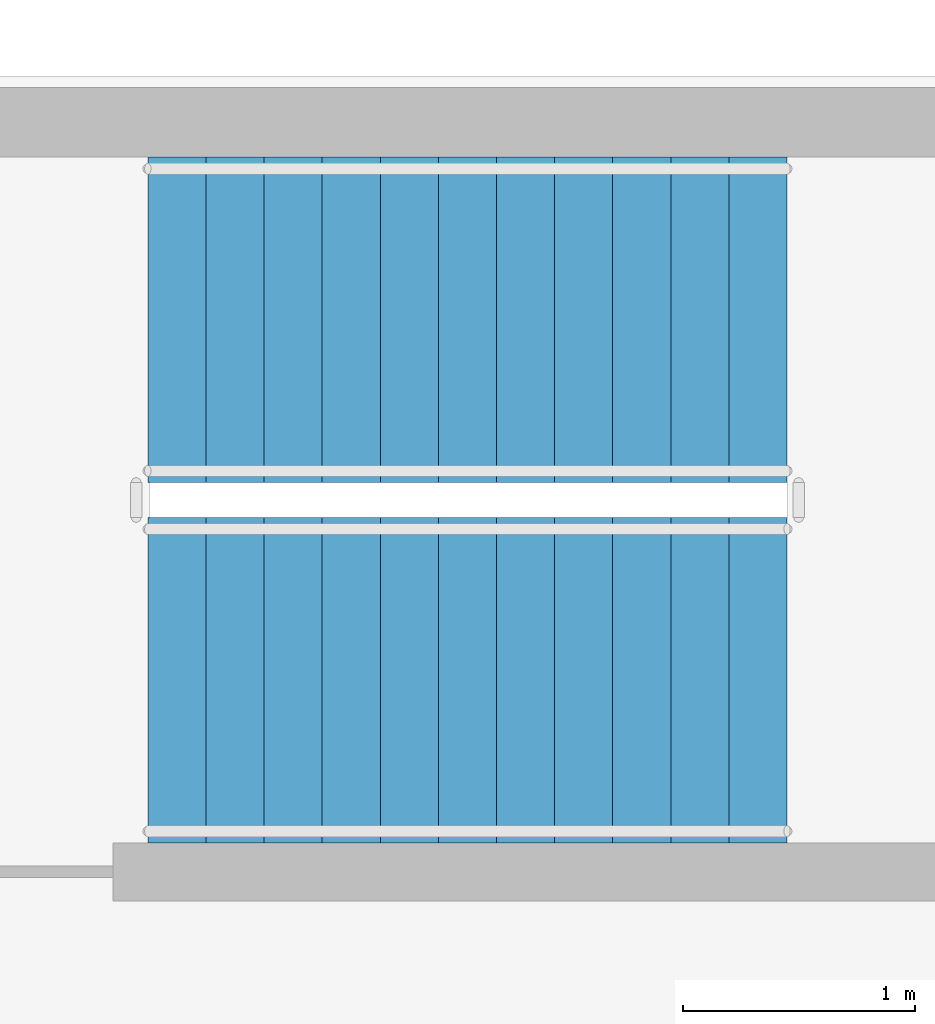
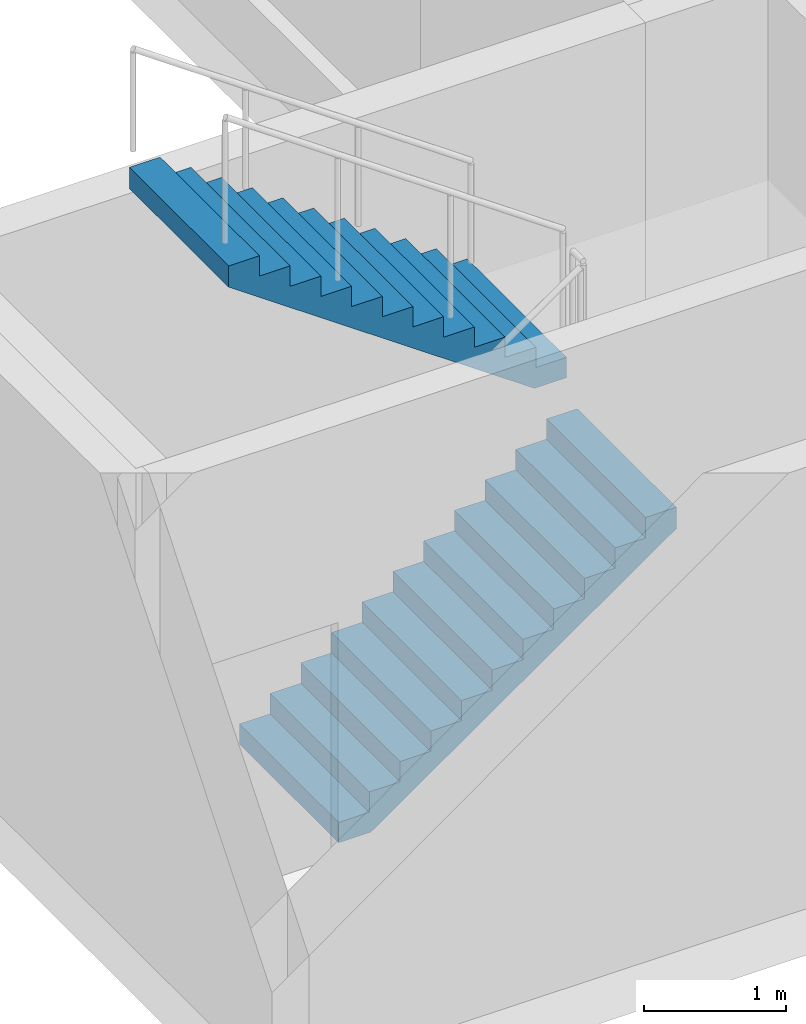
# One storey, part 9 of 14: 2 stair flights, 1 element without a shape of its own.
"""IFC4 building model written with IfcOpenShell, lengths in metres."""

import ifcopenshell
import ifcopenshell.guid

model = None  # the IFC model being written
_history = None  # IfcOwnerHistory: only IFC2X3 demands one
_inside = {}  # id of a spatial element -> (the spatial element, [elements in it])
_under = {}  # id of a project, library or spatial element -> (it, [spatial elements below it])
_declared = {}  # id of a project -> (the project, [libraries it declares])
_typed = {}  # id of a type object -> (the type object, [elements of that type])
_made_of = {}  # id of a material, layer set ... -> (it, [elements and type objects made of it])


def new_model(schema):
    """Start an empty IFC model of exactly this schema.

    Asked for "IFC4X3", IfcOpenShell would pick the latest addendum, in which some entities
    have other attributes; the version numbers below select the first issue.
    IFC2X3 requires an IfcOwnerHistory on every rooted entity: one is made here for all.
    """
    global model, _history
    if schema == "IFC4X3":
        model = ifcopenshell.file(schema_version=(4, 3, 0, 0))
    else:
        model = ifcopenshell.file(schema=schema)
    _inside.clear()
    _under.clear()
    _declared.clear()
    _typed.clear()
    _made_of.clear()
    _history = None
    if model.schema == "IFC2X3":
        org = make("IfcOrganization", Name="unknown")
        user = make(
            "IfcPersonAndOrganization",
            ThePerson=make("IfcPerson", FamilyName="unknown"),
            TheOrganization=org,
        )
        app = make(
            "IfcApplication",
            ApplicationDeveloper=org,
            Version="unknown",
            ApplicationFullName="unknown",
            ApplicationIdentifier="unknown",
        )
        _history = make(
            "IfcOwnerHistory",
            OwningUser=user,
            OwningApplication=app,
            ChangeAction="ADDED",
            CreationDate=0,
        )
    return model


def make(cls, **values):
    """One entity of the class cls with the attributes given. An attribute that is None is left unset."""
    return model.create_entity(
        cls, **{name: value for name, value in values.items() if value is not None}
    )


def rooted(cls, **values):
    """An entity with a GlobalId (a new one), such as an element, a storey or a relation."""
    return make(cls, GlobalId=ifcopenshell.guid.new(), OwnerHistory=_history, **values)


def si_unit(unit_type, name, prefix=None):
    """IfcSIUnit, for example si_unit("LENGTHUNIT", "METRE", prefix="MILLI")."""
    return make("IfcSIUnit", UnitType=unit_type, Prefix=prefix, Name=name)


def assignment(units):
    """IfcUnitAssignment: the units of a project."""
    return None if units is None else make("IfcUnitAssignment", Units=units)


def point(xyz):
    """IfcCartesianPoint."""
    return None if xyz is None else make("IfcCartesianPoint", Coordinates=xyz)


def direction(xyz):
    """IfcDirection."""
    return None if xyz is None else make("IfcDirection", DirectionRatios=xyz)


def frame(location, z_axis=None, x_axis=None):
    """IfcAxis2Placement3D, a coordinate frame: its origin and axes. An axis left out is left unset."""
    return make(
        "IfcAxis2Placement3D",
        Location=point(location),
        Axis=direction(z_axis),
        RefDirection=direction(x_axis),
    )


def origin():
    """The frame at (0, 0, 0) with its axes left unset."""
    return frame((0.0, 0.0, 0.0))


def place(relative_to, where):
    """IfcLocalPlacement: puts the frame where relative to a parent placement (None: the world)."""
    return make(
        "IfcLocalPlacement", PlacementRelTo=relative_to, RelativePlacement=where
    )


def context(
    kind, dimensions, precision=None, world=None, true_north=None, identifier=None
):
    """IfcGeometricRepresentationContext, for example the 3D "Model" context."""
    return make(
        "IfcGeometricRepresentationContext",
        ContextIdentifier=identifier,
        ContextType=kind,
        CoordinateSpaceDimension=dimensions,
        Precision=precision,
        WorldCoordinateSystem=world,
        TrueNorth=true_north,
    )


def subcontext(parent, identifier, kind, view, scale=None):
    """IfcGeometricRepresentationSubContext, for example "Body" below "Model"."""
    return make(
        "IfcGeometricRepresentationSubContext",
        ContextIdentifier=identifier,
        ContextType=kind,
        ParentContext=parent,
        TargetScale=scale,
        TargetView=view,
    )


def project(units=None, contexts=None):
    """IfcProject with its units and contexts."""
    return rooted(
        "IfcProject",
        Name="project",
        RepresentationContexts=contexts,
        UnitsInContext=assignment(units),
    )


def spatial(cls, under=None, at=None, **own):
    """A site, building, storey or space (cls), placed at a placement, below another one or the project."""
    s = rooted(cls, ObjectPlacement=at, **own)
    if under is not None:
        _under.setdefault(under.id(), (under, []))[1].append(s)
    return s


def polyline(points):
    """IfcPolyline through the points."""
    return make("IfcPolyline", Points=[point(p) for p in points])


def outline(outer, holes=None, kind="AREA"):
    """IfcArbitraryClosedProfileDef: a profile drawn as a closed curve; with holes, ...WithVoids."""
    if holes is None:
        return make("IfcArbitraryClosedProfileDef", ProfileType=kind, OuterCurve=outer)
    return make(
        "IfcArbitraryProfileDefWithVoids",
        ProfileType=kind,
        OuterCurve=outer,
        InnerCurves=holes,
    )


def extrude(swept, where, along, depth):
    """IfcExtrudedAreaSolid: the profile swept, set in the frame where, extruded along a direction by depth."""
    return make(
        "IfcExtrudedAreaSolid",
        SweptArea=swept,
        Position=where,
        ExtrudedDirection=direction(along),
        Depth=depth,
    )


def shape(context_of_items, identifier, shape_type, items):
    """IfcShapeRepresentation: the items that make up one representation, for example the "Body"."""
    return make(
        "IfcShapeRepresentation",
        ContextOfItems=context_of_items,
        RepresentationIdentifier=identifier,
        RepresentationType=shape_type,
        Items=items,
    )


def source(mapping_origin, context_of_items, identifier, shape_type, items):
    """IfcRepresentationMap: a shape defined once, which mapped items show again and again."""
    return make(
        "IfcRepresentationMap",
        MappingOrigin=mapping_origin,
        MappedRepresentation=shape(context_of_items, identifier, shape_type, items),
    )


def transform(
    local_origin,
    x_axis=None,
    y_axis=None,
    z_axis=None,
    scale=None,
    scale2=None,
    scale3=None,
    uniform=True,
):
    """IfcCartesianTransformationOperator3D, or its non-uniform kind. x_axis, y_axis, z_axis: its Axis1, 2, 3."""
    if uniform:
        return make(
            "IfcCartesianTransformationOperator3D",
            Axis1=direction(x_axis),
            Axis2=direction(y_axis),
            LocalOrigin=point(local_origin),
            Scale=scale,
            Axis3=direction(z_axis),
        )
    return make(
        "IfcCartesianTransformationOperator3DnonUniform",
        Axis1=direction(x_axis),
        Axis2=direction(y_axis),
        LocalOrigin=point(local_origin),
        Scale=scale,
        Axis3=direction(z_axis),
        Scale2=scale2,
        Scale3=scale3,
    )


def mapped(mapping_source, mapping_target):
    """IfcMappedItem: shows the shape of a source again, moved by a transform."""
    return make(
        "IfcMappedItem", MappingSource=mapping_source, MappingTarget=mapping_target
    )


def material(Name=None, Category=None):
    """IfcMaterial."""
    return make("IfcMaterial", Name=Name, Category=Category)


def made_of(thing, what):
    """Note that an element or type object is made of a material, layer set ...; save() writes the relation."""
    if what is not None:
        _made_of.setdefault(what.id(), (what, []))[1].append(thing)
    return thing


def type_object(cls, material=None, **own):
    """A type object (cls), such as IfcWallType, which elements share."""
    return made_of(rooted(cls, **own), material)


def element(
    cls,
    number,
    at=None,
    inside=None,
    cuts=None,
    type_object=None,
    material=None,
    context=None,
    identifier="Body",
    shape_type=None,
    held_by="IfcProductDefinitionShape",
    body=None,
    shapes=None,
    **own,
):
    """One element of the class cls, such as IfcWall. Its Tag is "e" and its number.

    at: its placement. inside: the storey or other place that contains it. cuts: it is an
    opening in that element (IfcRelVoidsElement). A single representation is given by context,
    identifier, shape_type and body (its items); several are given by shapes. held_by: the class
    of the entity that holds the representations. save() writes the other relations.
    """
    e = rooted(cls, Tag="e%d" % number, ObjectPlacement=at, **own)
    if body is not None:
        shapes = [shape(context, identifier, shape_type, body)]
    if shapes is not None:
        e.Representation = make(held_by, Representations=shapes)
    if inside is not None:
        _inside.setdefault(inside.id(), (inside, []))[1].append(e)
    if cuts is not None:
        rooted(
            "IfcRelVoidsElement", RelatingBuildingElement=cuts, RelatedOpeningElement=e
        )
    if type_object is not None:
        _typed.setdefault(type_object.id(), (type_object, []))[1].append(e)
    return made_of(e, material)


def aggregate(whole, parts):
    """IfcRelAggregates: a whole, such as a stair, and the parts it consists of."""
    return rooted("IfcRelAggregates", RelatingObject=whole, RelatedObjects=parts)


def save(model, path):
    """Write the relations noted so far, then the file.

    IfcRelAggregates (storeys below a building ...), IfcRelContainedInSpatialStructure (elements
    in a storey), IfcRelDefinesByType, IfcRelAssociatesMaterial and IfcRelDeclares: one each for
    every whole, place, type object, material and project.
    """
    for whole, parts in _under.values():
        aggregate(whole, parts)
    for where, things in _inside.values():
        rooted(
            "IfcRelContainedInSpatialStructure",
            RelatedElements=things,
            RelatingStructure=where,
        )
    for kind, things in _typed.values():
        rooted("IfcRelDefinesByType", RelatedObjects=things, RelatingType=kind)
    for what, things in _made_of.values():
        rooted("IfcRelAssociatesMaterial", RelatedObjects=things, RelatingMaterial=what)
    for by, libraries in _declared.values():
        rooted("IfcRelDeclares", RelatingContext=by, RelatedDefinitions=libraries)
    model.write(path)


model = new_model("IFC4")

# Units and contexts
model_context = context("Model", 3, precision=1e-05, world=origin(), true_north=direction((0.0, 1.0)))
body_context = subcontext(model_context, "Body", "Model", "MODEL_VIEW")
ifc_project = project(units=[si_unit("LENGTHUNIT", "METRE"), si_unit("AREAUNIT", "SQUARE_METRE"), si_unit("VOLUMEUNIT", "CUBIC_METRE"), si_unit("PLANEANGLEUNIT", "RADIAN"), si_unit("MASSUNIT", "GRAM", prefix="KILO")], contexts=[model_context])

# Site, building, storey
site_placement = place(None, origin())
site = spatial("IfcSite", under=ifc_project, at=site_placement, CompositionType="ELEMENT")
building_placement = place(site_placement, origin())
building = spatial("IfcBuilding", under=site, at=building_placement, Name="Aurelian Terraces", CompositionType="ELEMENT")
storey_placement = place(building_placement, frame((0.0, 0.0, 149.7)))
storey = spatial("IfcBuildingStorey", under=building, at=storey_placement, Name="L33", CompositionType="ELEMENT", Elevation=149.7)

# Stair, stair flights
ifc_material = material(Name="Concrete fc' 40 MPa", Category="concrete")
stair_type = type_object("IfcStairType", Name="Stair 1400", PredefinedType="HALF_TURN_STAIR", material=ifc_material)
stair_placement = place(storey_placement, origin())
stair = element("IfcStair", 1, at=stair_placement, inside=storey, type_object=stair_type, Name="L33 S3", PredefinedType="HALF_TURN_STAIR")
stair_flight_type = type_object("IfcStairFlightType", Name="Stair flight 1400", PredefinedType="STRAIGHT", material=ifc_material)
shared_shape = source(origin(), body_context, "Body", "SweptSolid", [
    extrude(outline(polyline([(0.0, 0.0), (0.0, 0.175), (0.25, 0.175), (0.25, 0.35), (0.5, 0.35), (0.5, 0.525), (0.75, 0.525), (0.75, 0.7), (1.0, 0.7), (1.0, 0.875), (1.25, 0.875), (1.25, 1.05), (1.5, 1.05), (1.5, 1.225), (1.75, 1.225), (1.75, 1.4), (2.0, 1.4), (2.0, 1.575), (2.25, 1.575), (2.25, 1.75), (2.5, 1.75), (2.5, 1.925), (2.75, 1.925), (2.75, 2.1), (2.75, 1.7419), (0.2616, 0.0), (0.0, 0.0)])), frame((0.0, 0.7, 0.0), z_axis=(0.0, -1.0, 0.0), x_axis=(1.0, 0.0, 0.0)), (0.0, 0.0, 1.0), 1.4),
])
stair_flight_1_placement = place(storey_placement, frame((2.1, 41.35, 2e-08), z_axis=(0.0, 0.0, 1.0), x_axis=(1.0, 0.0, 0.0)))
stair_flight_1 = element("IfcStairFlight", 2, at=stair_flight_1_placement, type_object=stair_flight_type, Name="S3 flight 1", NumberOfRisers=12, NumberOfTreads=11, PredefinedType="STRAIGHT", RiserHeight=0.175, TreadLength=0.25, context=body_context, shape_type="MappedRepresentation", body=[
    mapped(shared_shape, transform((0.0, 0.0, 0.0), scale=1.0)),
])
stair_flight_2_placement = place(storey_placement, frame((4.85, 42.9, 2.1000000200000226), z_axis=(0.0, 0.0, 1.0), x_axis=(-1.0, 0.0, 0.0)))
stair_flight_2 = element("IfcStairFlight", 3, at=stair_flight_2_placement, type_object=stair_flight_type, Name="S3 flight 2", NumberOfRisers=12, NumberOfTreads=11, PredefinedType="STRAIGHT", RiserHeight=0.175, TreadLength=0.25, context=body_context, shape_type="MappedRepresentation", body=[
    mapped(shared_shape, transform((0.0, 0.0, 0.0), scale=1.0)),
])
aggregate(stair, [stair_flight_1, stair_flight_2])

save(model, "model.ifc")
